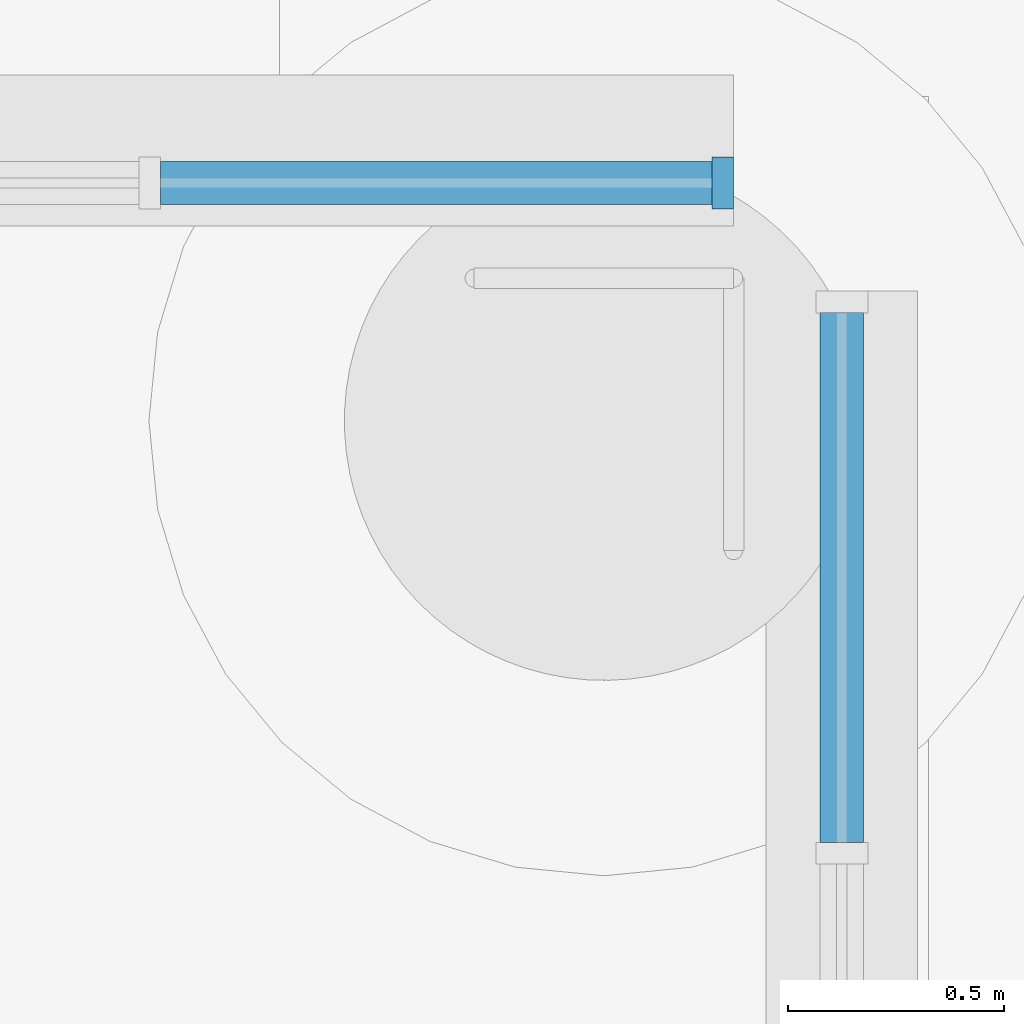
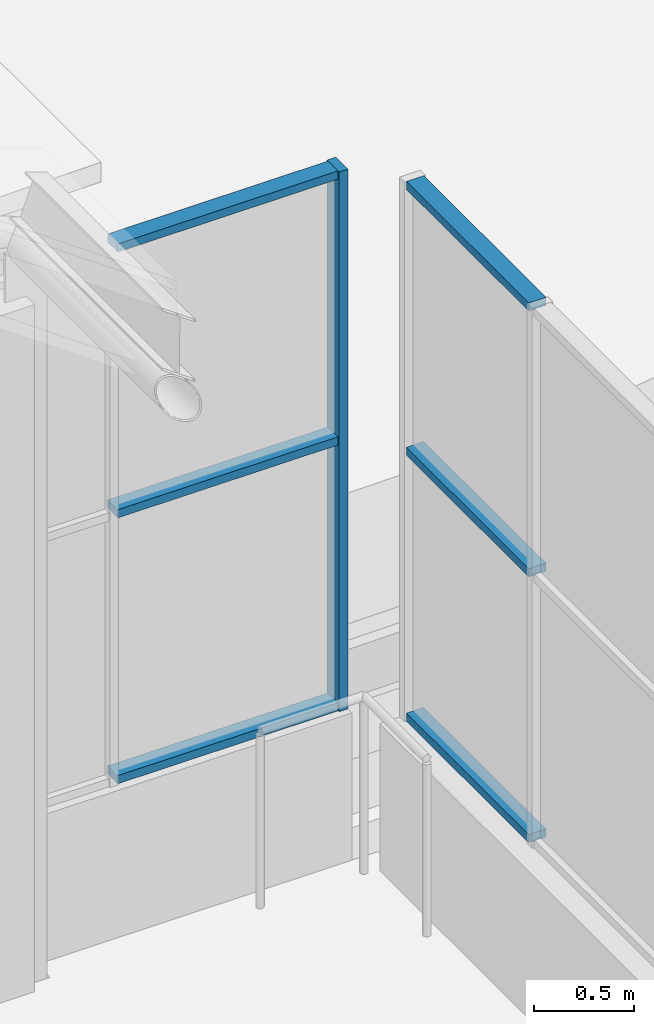
# One storey, part 69 of 222: 7 members, 2 elements without a shape of their own.
"""IFC4 building model written with IfcOpenShell, lengths in metres."""

from ifc_helpers import new_model, si_unit, direction, frame, origin, origin_2d, place, context, subcontext, project, spatial, rectangle, extrude, material, material_profile, profile_set, type_object, element, aggregate, save


model = new_model("IFC4")

# Units and contexts
model_context = context("Model", 3, precision=1e-05, world=origin(), true_north=direction((0.0, 1.0)))
body_context = subcontext(model_context, "Body", "Model", "MODEL_VIEW")
ifc_project = project(units=[si_unit("LENGTHUNIT", "METRE"), si_unit("AREAUNIT", "SQUARE_METRE"), si_unit("VOLUMEUNIT", "CUBIC_METRE"), si_unit("PLANEANGLEUNIT", "RADIAN"), si_unit("MASSUNIT", "GRAM", prefix="KILO")], contexts=[model_context])

# Site, building, storey
site_placement = place(None, origin())
site = spatial("IfcSite", under=ifc_project, at=site_placement, CompositionType="ELEMENT")
building_placement = place(site_placement, origin())
building = spatial("IfcBuilding", under=site, at=building_placement, Name="Sava Quay Ferry Terminal", CompositionType="ELEMENT")
storey_placement = place(building_placement, origin())
storey = spatial("IfcBuildingStorey", under=building, at=storey_placement, Name="L00", CompositionType="ELEMENT", Elevation=0.0)

# Curtain wall, member
ifc_material_1 = material(Name="Aluminium and glass curtain wall, double glazed", Category="aluminium")
curtain_wall_type = type_object("IfcCurtainWallType", Name="Curtain wall CW-B gallery", PredefinedType="NOTDEFINED", material=ifc_material_1)
curtain_wall_1_placement = place(storey_placement, origin())
curtain_wall_1 = element("IfcCurtainWall", 1, at=curtain_wall_1_placement, inside=storey, type_object=curtain_wall_type, Name="Curtain wall B1-HN L00 bay 2", PredefinedType="NOTDEFINED")
ifc_material_2 = material(Name="Aluminium EN AW-6063 T6", Category="aluminium")
ifc_material_profile_1 = material_profile(ifc_material_2, rectangle(XDim=0.1201171875, YDim=0.050048828125, at=origin_2d()), Name="Mullion 50x120 aluminium")
ifc_profile_set_1 = profile_set([ifc_material_profile_1], Name="Aluminium EN AW-6063 T6")
member_type_1 = type_object("IfcMemberType", Name="Mullion 50x120 aluminium", PredefinedType="MULLION", material=ifc_profile_set_1)
member_1_placement = place(storey_placement, frame((52.324951171875, 142.89990234375, 0.89990234375), z_axis=(0.0, 0.0, 1.0), x_axis=(0.0, 1.0, 0.0)))
member_1 = element("IfcMember", 2, at=member_1_placement, type_object=member_type_1, Name="CW10 mullion 3", PredefinedType="MULLION", context=body_context, shape_type="SweptSolid", body=[
    extrude(rectangle(XDim=0.1201171875, YDim=0.050048828125, at=origin_2d()), origin(), (0.0, 0.0, 1.0), 3.300048828125),
])

# Curtain wall, members
curtain_wall_2_placement = place(storey_placement, origin())
curtain_wall_2 = element("IfcCurtainWall", 3, at=curtain_wall_2_placement, inside=storey, type_object=curtain_wall_type, Name="Curtain wall B1-HE L00 bay 2", PredefinedType="NOTDEFINED")
ifc_material_3 = material(Name="Aluminium EN AW-6063 T6", Category="aluminium")
ifc_material_profile_2 = material_profile(ifc_material_3, rectangle(XDim=0.10009765625, YDim=0.050048828125, at=origin_2d()), Name="Transom 50x100 aluminium")
ifc_profile_set_2 = profile_set([ifc_material_profile_2], Name="Aluminium EN AW-6063 T6")
member_type_2 = type_object("IfcMemberType", Name="Transom 50x100 aluminium", PredefinedType="USERDEFINED", material=ifc_profile_set_2)
member_2_placement = place(storey_placement, frame((52.60009765625, 141.375, 0.925048828125), z_axis=(0.0, 1.0, 0.0), x_axis=(-1.0, 0.0, 0.0)))
member_2 = element("IfcMember", 4, at=member_2_placement, type_object=member_type_2, Name="CW8 transom 3.1", ObjectType="TRANSOM", PredefinedType="USERDEFINED", context=body_context, shape_type="SweptSolid", body=[
    extrude(rectangle(XDim=0.10009765625, YDim=0.050048828125, at=origin_2d()), origin(), (0.0, 0.0, 1.0), 1.22509765625),
])
member_3_placement = place(storey_placement, frame((52.60009765625, 141.375, 2.550048828125), z_axis=(0.0, 1.0, 0.0), x_axis=(-1.0, 0.0, 0.0)))
member_3 = element("IfcMember", 5, at=member_3_placement, type_object=member_type_2, Name="CW8 transom 3.2", ObjectType="TRANSOM", PredefinedType="USERDEFINED", context=body_context, shape_type="SweptSolid", body=[
    extrude(rectangle(XDim=0.10009765625, YDim=0.050048828125, at=origin_2d()), origin(), (0.0, 0.0, 1.0), 1.22509765625),
])
member_4_placement = place(storey_placement, frame((52.60009765625, 141.375, 4.175048828125), z_axis=(0.0, 1.0, 0.0), x_axis=(-1.0, 0.0, 0.0)))
member_4 = element("IfcMember", 6, at=member_4_placement, type_object=member_type_2, Name="CW8 transom 3.3", ObjectType="TRANSOM", PredefinedType="USERDEFINED", context=body_context, shape_type="SweptSolid", body=[
    extrude(rectangle(XDim=0.10009765625, YDim=0.050048828125, at=origin_2d()), origin(), (0.0, 0.0, 1.0), 1.22509765625),
])
aggregate(curtain_wall_2, [member_2, member_3, member_4])

# Member
member_5_placement = place(storey_placement, frame((51.02490234375, 142.89990234375, 0.925048828125), z_axis=(1.0, 0.0, 0.0), x_axis=(0.0, 1.0, 0.0)))
member_5 = element("IfcMember", 7, at=member_5_placement, type_object=member_type_2, Name="CW10 transom 2.1", ObjectType="TRANSOM", PredefinedType="USERDEFINED", context=body_context, shape_type="SweptSolid", body=[
    extrude(rectangle(XDim=0.10009765625, YDim=0.050048828125, at=origin_2d()), origin(), (0.0, 0.0, 1.0), 1.275146484375),
])

member_6_placement = place(storey_placement, frame((51.02490234375, 142.89990234375, 2.550048828125), z_axis=(1.0, 0.0, 0.0), x_axis=(0.0, 1.0, 0.0)))
member_6 = element("IfcMember", 8, at=member_6_placement, type_object=member_type_2, Name="CW10 transom 2.2", ObjectType="TRANSOM", PredefinedType="USERDEFINED", context=body_context, shape_type="SweptSolid", body=[
    extrude(rectangle(XDim=0.10009765625, YDim=0.050048828125, at=origin_2d()), origin(), (0.0, 0.0, 1.0), 1.275146484375),
])

member_7_placement = place(storey_placement, frame((51.02490234375, 142.89990234375, 4.175048828125), z_axis=(1.0, 0.0, 0.0), x_axis=(0.0, 1.0, 0.0)))
member_7 = element("IfcMember", 9, at=member_7_placement, type_object=member_type_2, Name="CW10 transom 2.3", ObjectType="TRANSOM", PredefinedType="USERDEFINED", context=body_context, shape_type="SweptSolid", body=[
    extrude(rectangle(XDim=0.10009765625, YDim=0.050048828125, at=origin_2d()), origin(), (0.0, 0.0, 1.0), 1.275146484375),
])

aggregate(curtain_wall_1, [member_1, member_5, member_6, member_7])

save(model, "model.ifc")
